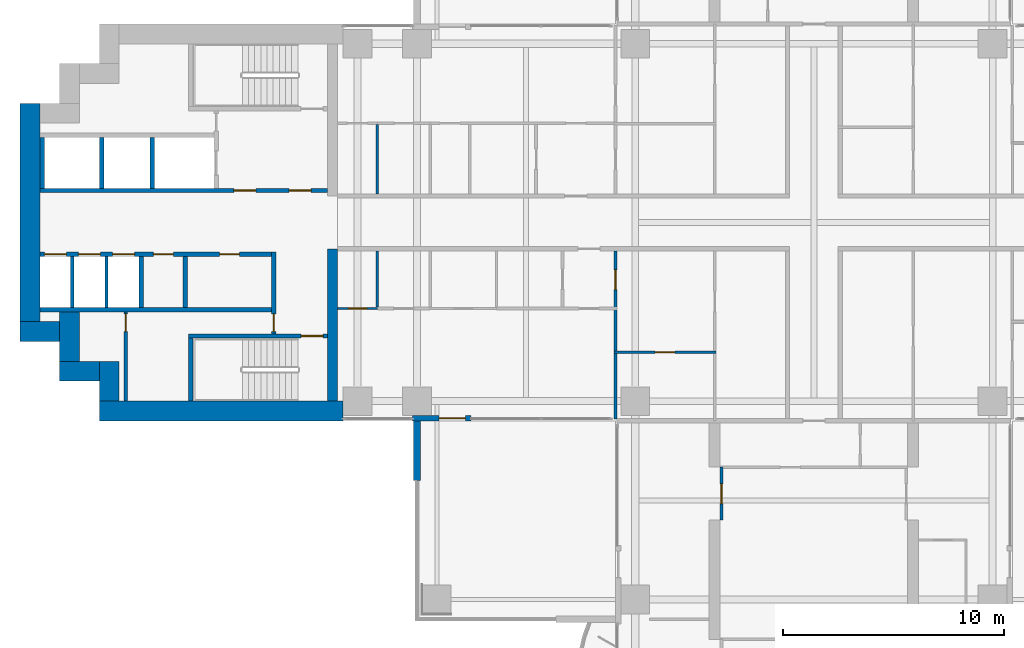
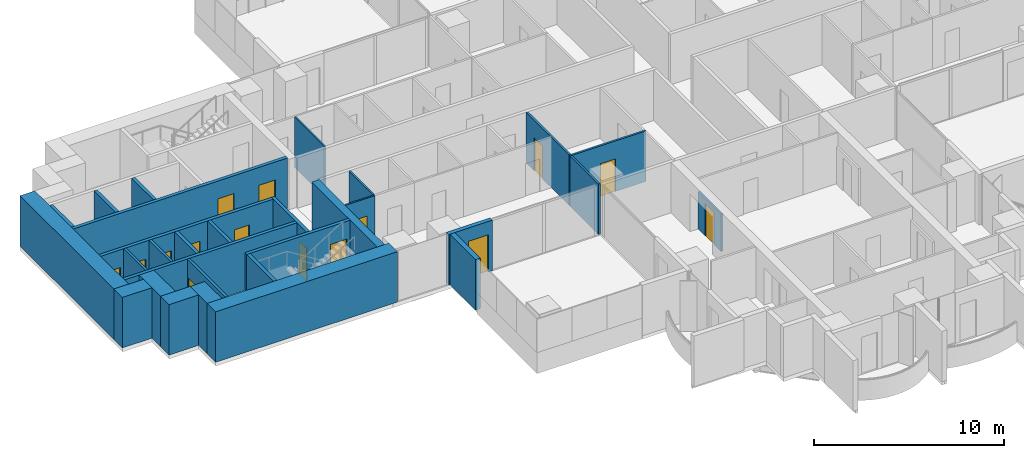
# One storey, part 10 of 20: 29 walls, 15 doors, 15 openings.
"""IFC4 building model written with IfcOpenShell, lengths in metres."""

from ifc_helpers import new_model, si_unit, direction, frame, frame_2d, origin, place, context, subcontext, project, spatial, rectangle, extrude, material, layer, layer_set, type_object, element, fill, save


model = new_model("IFC4")

# Units and contexts
model_context = context("Model", 3, precision=1e-05, world=origin(), true_north=direction((0.0, 1.0)))
body_context = subcontext(model_context, "Body", "Model", "MODEL_VIEW")
ifc_project = project(units=[si_unit("LENGTHUNIT", "METRE"), si_unit("AREAUNIT", "SQUARE_METRE"), si_unit("VOLUMEUNIT", "CUBIC_METRE"), si_unit("PLANEANGLEUNIT", "RADIAN"), si_unit("MASSUNIT", "GRAM", prefix="KILO")], contexts=[model_context])

# Site, building, storey
site_placement = place(None, origin())
site = spatial("IfcSite", under=ifc_project, at=site_placement, CompositionType="ELEMENT")
building_placement = place(site_placement, origin())
building = spatial("IfcBuilding", under=site, at=building_placement, Name="Perihelion Cross Residences", CompositionType="ELEMENT")
storey_placement = place(building_placement, frame((0.0, 0.0, 68.0)))
storey = spatial("IfcBuildingStorey", under=building, at=storey_placement, Name="L14", CompositionType="ELEMENT", Elevation=68.0)

# Wall, opening, door
ifc_material_1 = material(Name="Concrete C30/37, bronze-clad", Category="concrete")
ifc_layer_1 = layer(ifc_material_1, 0.25)
ifc_layer_set_1 = layer_set([ifc_layer_1], Name="Bronze-clad pier wall 250")
wall_type_1 = type_object("IfcWallType", Name="Bronze-clad pier wall 250", PredefinedType="SOLIDWALL", material=ifc_layer_set_1)
wall_1_placement = place(storey_placement, frame((-18.199951171875, -8.875, 0.0), z_axis=(0.0, 0.0, 1.0), x_axis=(1.0, 0.0, 0.0)))
wall_1 = element("IfcWall", 1, at=wall_1_placement, inside=storey, type_object=wall_type_1, Name="Wall FW1 L14 west side south bay 2 pier", PredefinedType="SOLIDWALL", context=body_context, shape_type="SweptSolid", body=[
    extrude(rectangle(XDim=2.64990234375, YDim=0.25, at=frame_2d((1.324951171875, 0.0))), origin(), (0.0, 0.0, 1.0), 3.25),
])
opening_1_placement = place(wall_1_placement, frame((1.199951171875, 0.0, 0.0)))
opening_1 = element("IfcOpeningElement", 2, at=opening_1_placement, cuts=wall_1, Name="Opening L14.E09", PredefinedType="OPENING", context=body_context, shape_type="SweptSolid", body=[
    extrude(rectangle(XDim=1.199951171875, YDim=2.39990234375, at=frame_2d((0.60009765625, 1.199951171875))), frame((0.0, 0.135009765625, 0.0), z_axis=(0.0, -1.0, 0.0), x_axis=(1.0, 0.0, 0.0)), (0.0, 0.0, 1.0), 0.27001953125),
])
ifc_material_2 = material(Name="Bronze anodised aluminium, glazed", Category="aluminium")
door_type_1 = type_object("IfcDoorType", Name="Balcony door 1200 x 2400", OperationType="NOTDEFINED", PredefinedType="DOOR", material=ifc_material_2)
door_1_placement = place(opening_1_placement, origin())
door_1 = element("IfcDoor", 3, at=door_1_placement, inside=storey, type_object=door_type_1, Name="Door L14.E09 west side south bay 2", OperationType="SINGLE_SWING_RIGHT", OverallHeight=2.39990234375, OverallWidth=1.199951171875, PredefinedType="DOOR", context=body_context, shape_type="SweptSolid", body=[
    extrude(rectangle(XDim=1.199951171875, YDim=2.39990234375, at=frame_2d((0.60009765625, 1.199951171875))), frame((0.0, 0.02490234375, 0.0), z_axis=(0.0, -1.0, 0.0), x_axis=(1.0, 0.0, 0.0)), (0.0, 0.0, 1.0), 0.050048828125),
])
fill(opening_1, door_1)

# Walls
ifc_material_3 = material(Name="Concrete C60/75", Category="concrete")
ifc_layer_2 = layer(ifc_material_3, 0.449951171875)
ifc_layer_set_2 = layer_set([ifc_layer_2], Name="Core wall, inner 450")
wall_type_2 = type_object("IfcWallType", Name="Core wall, inner 450", PredefinedType="SHEAR", material=ifc_layer_set_2)
wall_2_placement = place(storey_placement, frame((-21.824951171875, -8.10009765625, 0.0), z_axis=(0.0, 0.0, 1.0), x_axis=(0.0, 1.0, 0.0)))
element("IfcWall", 4, at=wall_2_placement, inside=storey, type_object=wall_type_2, Name="West core core wall, inner", PredefinedType="SHEAR", context=body_context, shape_type="SweptSolid", body=[
    extrude(rectangle(XDim=6.900146484375, YDim=0.449951171875, at=frame_2d((3.4501953125, 0.0))), origin(), (0.0, 0.0, 1.0), 3.25),
])
ifc_material_4 = material(Name="Concrete C60/75", Category="concrete")
ifc_layer_3 = layer(ifc_material_4, 0.89990234375)
ifc_layer_set_3 = layer_set([ifc_layer_3], Name="Core wall, outer 900")
wall_type_3 = type_object("IfcWallType", Name="Core wall, outer 900", PredefinedType="SHEAR", material=ifc_layer_set_3)
wall_3_placement = place(storey_placement, frame((-32.39990234375, -8.550048828125, 0.0), z_axis=(0.0, 0.0, 1.0), x_axis=(1.0, 0.0, 0.0)))
element("IfcWall", 5, at=wall_3_placement, inside=storey, type_object=wall_type_3, Name="West core core wall, outer", PredefinedType="SHEAR", context=body_context, shape_type="SweptSolid", body=[
    extrude(rectangle(XDim=11.0498046875, YDim=0.89990234375, at=frame_2d((5.52490234375, 0.0))), origin(), (0.0, 0.0, 1.0), 3.25),
])
for number, where, z_axis, x_axis, name in (
    (6, (-31.949951171875, -8.10009765625, 0.0), (0.0, 0.0, 1.0), (0.0, 1.0, 0.0), "West core core wall, outer"),
    (7, (-34.199951171875, -6.75, 0.0), (0.0, 0.0, 1.0), (1.0, 0.0, 0.0), "West core core wall, outer"),
):
    element("IfcWall", number, at=place(storey_placement, frame(where, z_axis=z_axis, x_axis=x_axis)), inside=storey, type_object=wall_type_3, Name=name, PredefinedType="SHEAR", context=body_context, shape_type="SweptSolid", body=[
        extrude(rectangle(XDim=1.800048828125, YDim=0.89990234375, at=frame_2d((0.89990234375, 0.0))), origin(), (0.0, 0.0, 1.0), 3.25),
    ])
wall_4_placement = place(storey_placement, frame((-33.75, -6.300048828125, 0.0), z_axis=(0.0, 0.0, 1.0), x_axis=(0.0, 1.0, 0.0)))
element("IfcWall", 8, at=wall_4_placement, inside=storey, type_object=wall_type_3, Name="West core core wall, outer", PredefinedType="SHEAR", context=body_context, shape_type="SweptSolid", body=[
    extrude(rectangle(XDim=2.25, YDim=0.89990234375, at=frame_2d((1.125, 0.0))), origin(), (0.0, 0.0, 1.0), 3.25),
])
wall_5_placement = place(storey_placement, frame((-36.0, -4.949951171875, 0.0), z_axis=(0.0, 0.0, 1.0), x_axis=(1.0, 0.0, 0.0)))
element("IfcWall", 9, at=wall_5_placement, inside=storey, type_object=wall_type_3, Name="West core core wall, outer", PredefinedType="SHEAR", context=body_context, shape_type="SweptSolid", body=[
    extrude(rectangle(XDim=1.800048828125, YDim=0.89990234375, at=frame_2d((0.89990234375, 0.0))), origin(), (0.0, 0.0, 1.0), 3.25),
])
wall_6_placement = place(storey_placement, frame((-35.550048828125, -4.5, 0.0), z_axis=(0.0, 0.0, 1.0), x_axis=(0.0, 1.0, 0.0)))
element("IfcWall", 10, at=wall_6_placement, inside=storey, type_object=wall_type_3, Name="West core core wall, outer", PredefinedType="SHEAR", context=body_context, shape_type="SweptSolid", body=[
    extrude(rectangle(XDim=9.89990234375, YDim=0.89990234375, at=frame_2d((4.949951171875, 0.0))), origin(), (0.0, 0.0, 1.0), 3.25),
])

# Wall, opening, door
ifc_material_5 = material(Name="Plasterboard partition")
ifc_layer_4 = layer(ifc_material_5, 0.1201171875)
ifc_layer_set_4 = layer_set([ifc_layer_4], Name="Infill panel 120")
wall_type_4 = type_object("IfcWallType", Name="Infill panel 120", PredefinedType="PARTITIONING", material=ifc_layer_set_4)
wall_7_placement = place(storey_placement, frame((-4.18994140625, -11.10009765625, 0.0), z_axis=(0.0, 0.0, 1.0), x_axis=(0.0, -1.0, 0.0)))
wall_7 = element("IfcWall", 11, at=wall_7_placement, inside=storey, type_object=wall_type_4, Name="Partition L14 WI07", PredefinedType="PARTITIONING", context=body_context, shape_type="SweptSolid", body=[
    extrude(rectangle(XDim=2.39990234375, YDim=0.1201171875, at=frame_2d((1.199951171875, 0.0))), origin(), (0.0, 0.0, 1.0), 2.39990234375),
])
opening_2_placement = place(wall_7_placement, frame((0.75, 0.0, 0.0)))
opening_2 = element("IfcOpeningElement", 12, at=opening_2_placement, cuts=wall_7, Name="Opening L14.A56", PredefinedType="OPENING", context=body_context, shape_type="SweptSolid", body=[
    extrude(rectangle(XDim=0.89990234375, YDim=2.10009765625, at=frame_2d((0.449951171875, 1.050048828125))), frame((0.0, 0.070068359375, 0.0), z_axis=(0.0, -1.0, 0.0), x_axis=(1.0, 0.0, 0.0)), (0.0, 0.0, 1.0), 0.14013671875),
])
ifc_material_6 = material(Name="Timber door leaf", Category="wood")
door_type_2 = type_object("IfcDoorType", Name="Interior room door 900 x 2100", OperationType="SINGLE_SWING_LEFT", PredefinedType="DOOR", material=ifc_material_6)
door_2_placement = place(opening_2_placement, origin())
door_2 = element("IfcDoor", 13, at=door_2_placement, inside=storey, type_object=door_type_2, Name="Door L14.A56", OperationType="SINGLE_SWING_RIGHT", OverallHeight=2.10009765625, OverallWidth=0.89990234375, PredefinedType="DOOR", context=body_context, shape_type="SweptSolid", body=[
    extrude(rectangle(XDim=0.89990234375, YDim=2.10009765625, at=frame_2d((0.449951171875, 1.050048828125))), frame((0.0, 0.02490234375, 0.0), z_axis=(0.0, -1.0, 0.0), x_axis=(1.0, 0.0, 0.0)), (0.0, 0.0, 1.0), 0.050048828125),
])
fill(opening_2, door_2)

ifc_material_7 = material(Name="Concrete C50/60", Category="concrete")
ifc_layer_5 = layer(ifc_material_7, 0.199951171875)
ifc_layer_set_5 = layer_set([ifc_layer_5], Name="Lobby wall 200")
wall_type_5 = type_object("IfcWallType", Name="Lobby wall 200", PredefinedType="SOLIDWALL", material=ifc_layer_set_5)
wall_8_placement = place(storey_placement, frame((-24.5, -5.050048828125, 0.0), z_axis=(0.0, 0.0, 1.0), x_axis=(0.0, 1.0, 0.0)))
wall_8 = element("IfcWall", 14, at=wall_8_placement, inside=storey, type_object=wall_type_5, Name="West core lobby wall", PredefinedType="SOLIDWALL", context=body_context, shape_type="SweptSolid", body=[
    extrude(rectangle(XDim=3.699951171875, YDim=0.199951171875, at=frame_2d((1.85009765625, 0.0))), origin(), (0.0, 0.0, 1.0), 3.25),
])
opening_3_placement = place(wall_8_placement, frame((0.10009765625, 0.0, 0.0)))
opening_3 = element("IfcOpeningElement", 15, at=opening_3_placement, cuts=wall_8, Name="Opening L14.C21", PredefinedType="OPENING", context=body_context, shape_type="SweptSolid", body=[
    extrude(rectangle(XDim=0.800048828125, YDim=2.10009765625, at=frame_2d((0.39990234375, 1.050048828125))), frame((0.0, 0.10986328125, 0.0), z_axis=(0.0, -1.0, 0.0), x_axis=(1.0, 0.0, 0.0)), (0.0, 0.0, 1.0), 0.219970703125),
])
ifc_material_8 = material(Name="Steel, powder coated", Category="steel")
door_type_3 = type_object("IfcDoorType", Name="Riser door 800", OperationType="SINGLE_SWING_LEFT", PredefinedType="DOOR", material=ifc_material_8)
door_3_placement = place(opening_3_placement, origin())
door_3 = element("IfcDoor", 16, at=door_3_placement, inside=storey, type_object=door_type_3, Name="West core riser door", OperationType="SINGLE_SWING_LEFT", OverallHeight=2.10009765625, OverallWidth=0.800048828125, PredefinedType="DOOR", context=body_context, shape_type="SweptSolid", body=[
    extrude(rectangle(XDim=0.800048828125, YDim=2.10009765625, at=frame_2d((0.39990234375, 1.050048828125))), frame((0.0, 0.02490234375, 0.0), z_axis=(0.0, -1.0, 0.0), x_axis=(1.0, 0.0, 0.0)), (0.0, 0.0, 1.0), 0.050048828125),
])
fill(opening_3, door_3)

ifc_material_9 = material(Name="Plasterboard partition")
ifc_layer_6 = layer(ifc_material_9, 0.1201171875)
ifc_layer_set_6 = layer_set([ifc_layer_6], Name="Partition wall 120")
wall_type_6 = type_object("IfcWallType", Name="Partition wall 120", PredefinedType="PARTITIONING", material=ifc_layer_set_6)
wall_9_placement = place(storey_placement, frame((-9.0, -1.300048828125, 0.0), z_axis=(0.0, 0.0, 1.0), x_axis=(0.0, -1.0, 0.0)))
wall_9 = element("IfcWall", 17, at=wall_9_placement, inside=storey, type_object=wall_type_6, Name="Partition L14 W044", PredefinedType="PARTITIONING", context=body_context, shape_type="SweptSolid", body=[
    extrude(rectangle(XDim=7.619873046875, YDim=0.1201171875, at=frame_2d((3.81005859375, 0.0))), origin(), (0.0, 0.0, 1.0), 3.25),
])
opening_4_placement = place(wall_9_placement, frame((0.85009765625, 0.0, 0.0)))
opening_4 = element("IfcOpeningElement", 18, at=opening_4_placement, cuts=wall_9, Name="Opening L14.A26", PredefinedType="OPENING", context=body_context, shape_type="SweptSolid", body=[
    extrude(rectangle(XDim=0.89990234375, YDim=2.10009765625, at=frame_2d((0.449951171875, 1.050048828125))), frame((0.0, 0.070068359375, 0.0), z_axis=(0.0, -1.0, 0.0), x_axis=(1.0, 0.0, 0.0)), (0.0, 0.0, 1.0), 0.14013671875),
])
door_4_placement = place(opening_4_placement, origin())
door_4 = element("IfcDoor", 19, at=door_4_placement, inside=storey, type_object=door_type_2, Name="Door L14.A26", OperationType="SINGLE_SWING_RIGHT", OverallHeight=2.10009765625, OverallWidth=0.89990234375, PredefinedType="DOOR", context=body_context, shape_type="SweptSolid", body=[
    extrude(rectangle(XDim=0.89990234375, YDim=2.10009765625, at=frame_2d((0.449951171875, 1.050048828125))), frame((0.0, 0.02490234375, 0.0), z_axis=(0.0, -1.0, 0.0), x_axis=(1.0, 0.0, 0.0)), (0.0, 0.0, 1.0), 0.050048828125),
])
fill(opening_4, door_4)

wall_10_placement = place(storey_placement, frame((-4.43994140625, -5.8798828125, 0.0), z_axis=(0.0, 0.0, 1.0), x_axis=(-1.0, 0.0, 0.0)))
wall_10 = element("IfcWall", 20, at=wall_10_placement, inside=storey, type_object=wall_type_6, Name="Partition L14 W051", PredefinedType="PARTITIONING", context=body_context, shape_type="SweptSolid", body=[
    extrude(rectangle(XDim=4.6201171875, YDim=0.1201171875, at=frame_2d((2.31005859375, 0.0))), origin(), (0.0, 0.0, 1.0), 3.25),
])
opening_5_placement = place(wall_10_placement, frame((1.860107421875, 0.0, 0.0)))
opening_5 = element("IfcOpeningElement", 21, at=opening_5_placement, cuts=wall_10, Name="Opening L14.A28", PredefinedType="OPENING", context=body_context, shape_type="SweptSolid", body=[
    extrude(rectangle(XDim=0.89990234375, YDim=2.10009765625, at=frame_2d((0.449951171875, 1.050048828125))), frame((0.0, 0.070068359375, 0.0), z_axis=(0.0, -1.0, 0.0), x_axis=(1.0, 0.0, 0.0)), (0.0, 0.0, 1.0), 0.14013671875),
])
door_5_placement = place(opening_5_placement, origin())
door_5 = element("IfcDoor", 22, at=door_5_placement, inside=storey, type_object=door_type_2, Name="Door L14.A28", OperationType="SINGLE_SWING_RIGHT", OverallHeight=2.10009765625, OverallWidth=0.89990234375, PredefinedType="DOOR", context=body_context, shape_type="SweptSolid", body=[
    extrude(rectangle(XDim=0.89990234375, YDim=2.10009765625, at=frame_2d((0.449951171875, 1.050048828125))), frame((0.0, 0.02490234375, 0.0), z_axis=(0.0, -1.0, 0.0), x_axis=(1.0, 0.0, 0.0)), (0.0, 0.0, 1.0), 0.050048828125),
])
fill(opening_5, door_5)

# Wall
ifc_material_10 = material(Name="Precast concrete C50/60", Category="concrete")
ifc_layer_7 = layer(ifc_material_10, 0.300048828125)
ifc_layer_set_7 = layer_set([ifc_layer_7], Name="Precast concrete C50/60 blade wall 300")
wall_type_7 = type_object("IfcWallType", Name="Precast concrete C50/60 blade wall 300", PredefinedType="SOLIDWALL", material=ifc_layer_set_7)
wall_11_placement = place(storey_placement, frame((-18.0, -8.75, 0.0), z_axis=(0.0, 0.0, 1.0), x_axis=(0.0, -1.0, 0.0)))
element("IfcWall", 23, at=wall_11_placement, inside=storey, type_object=wall_type_7, Name="Wall BL1 L14 no. 1", PredefinedType="SOLIDWALL", context=body_context, shape_type="SweptSolid", body=[
    extrude(rectangle(XDim=2.949951171875, YDim=0.300048828125, at=frame_2d((1.47509765625, 0.0))), origin(), (0.0, 0.0, 1.0), 3.25),
])

# Wall, opening, door
ifc_material_11 = material(Name="Fire-rated board on steel stud", Category="steel")
ifc_layer_8 = layer(ifc_material_11, 0.14990234375)
ifc_layer_set_8 = layer_set([ifc_layer_8], Name="Riser wall 150")
wall_type_8 = type_object("IfcWallType", Name="Riser wall 150", PredefinedType="PARTITIONING", material=ifc_layer_set_8)
wall_12_placement = place(storey_placement, frame((-31.199951171875, -8.10009765625, 0.0), z_axis=(0.0, 0.0, 1.0), x_axis=(0.0, 1.0, 0.0)))
wall_12 = element("IfcWall", 24, at=wall_12_placement, inside=storey, type_object=wall_type_8, Name="West core riser wall", PredefinedType="PARTITIONING", context=body_context, shape_type="SweptSolid", body=[
    extrude(rectangle(XDim=4.050048828125, YDim=0.14990234375, at=frame_2d((2.02490234375, 0.0))), origin(), (0.0, 0.0, 1.0), 3.25),
])
opening_6_placement = place(wall_12_placement, frame((3.14990234375, 0.0, 0.0)))
opening_6 = element("IfcOpeningElement", 25, at=opening_6_placement, cuts=wall_12, Name="Opening L14.C26", PredefinedType="OPENING", context=body_context, shape_type="SweptSolid", body=[
    extrude(rectangle(XDim=0.800048828125, YDim=2.10009765625, at=frame_2d((0.39990234375, 1.050048828125))), frame((0.0, 0.0849609375, 0.0), z_axis=(0.0, -1.0, 0.0), x_axis=(1.0, 0.0, 0.0)), (0.0, 0.0, 1.0), 0.169921875),
])
door_6_placement = place(opening_6_placement, origin())
door_6 = element("IfcDoor", 26, at=door_6_placement, inside=storey, type_object=door_type_3, Name="West core riser door", OperationType="SINGLE_SWING_LEFT", OverallHeight=2.10009765625, OverallWidth=0.800048828125, PredefinedType="DOOR", context=body_context, shape_type="SweptSolid", body=[
    extrude(rectangle(XDim=0.800048828125, YDim=2.10009765625, at=frame_2d((0.39990234375, 1.050048828125))), frame((0.0, 0.02490234375, 0.0), z_axis=(0.0, -1.0, 0.0), x_axis=(1.0, 0.0, 0.0)), (0.0, 0.0, 1.0), 0.050048828125),
])
fill(opening_6, door_6)

# Walls
ifc_material_12 = material(Name="Fire-rated board on steel stud", Category="steel")
ifc_layer_9 = layer(ifc_material_12, 0.199951171875)
ifc_layer_set_9 = layer_set([ifc_layer_9], Name="Riser wall 200")
wall_type_9 = type_object("IfcWallType", Name="Riser wall 200", PredefinedType="PARTITIONING", material=ifc_layer_set_9)
wall_13_placement = place(storey_placement, frame((-28.5, -3.85009765625, 0.0), z_axis=(0.0, 0.0, 1.0), x_axis=(0.0, 1.0, 0.0)))
element("IfcWall", 27, at=wall_13_placement, inside=storey, type_object=wall_type_9, Name="West core riser wall", PredefinedType="PARTITIONING", context=body_context, shape_type="SweptSolid", body=[
    extrude(rectangle(XDim=2.300048828125, YDim=0.199951171875, at=frame_2d((1.14990234375, 0.0))), origin(), (0.0, 0.0, 1.0), 3.25),
])
ifc_material_13 = material(Name="Concrete C50/60", Category="concrete")
ifc_layer_10 = layer(ifc_material_13, 0.14990234375)
ifc_layer_set_10 = layer_set([ifc_layer_10], Name="Shaft wall 150")
wall_type_10 = type_object("IfcWallType", Name="Shaft wall 150", PredefinedType="SOLIDWALL", material=ifc_layer_set_10)
for number, where, z_axis, x_axis, name in (
    (28, (-32.074951171875, -3.85009765625, 0.0), (0.0, 0.0, 1.0), (0.0, 1.0, 0.0), "West core shaft wall"),
    (29, (-33.625, -3.85009765625, 0.0), (0.0, 0.0, 1.0), (0.0, 1.0, 0.0), "West core shaft wall"),
):
    element("IfcWall", number, at=place(storey_placement, frame(where, z_axis=z_axis, x_axis=x_axis)), inside=storey, type_object=wall_type_10, Name=name, PredefinedType="SOLIDWALL", context=body_context, shape_type="SweptSolid", body=[
        extrude(rectangle(XDim=2.300048828125, YDim=0.14990234375, at=frame_2d((1.14990234375, 0.0))), origin(), (0.0, 0.0, 1.0), 3.25),
    ])

# Wall, openings, doors
ifc_material_14 = material(Name="Concrete C50/60", Category="concrete")
ifc_layer_11 = layer(ifc_material_14, 0.199951171875)
ifc_layer_set_11 = layer_set([ifc_layer_11], Name="Shaft wall 200")
wall_type_11 = type_object("IfcWallType", Name="Shaft wall 200", PredefinedType="SOLIDWALL", material=ifc_layer_set_11)
wall_14_placement = place(storey_placement, frame((-35.10009765625, 1.449951171875, 0.0), z_axis=(0.0, 0.0, 1.0), x_axis=(1.0, 0.0, 0.0)))
wall_14 = element("IfcWall", 30, at=wall_14_placement, inside=storey, type_object=wall_type_11, Name="West core shaft wall", PredefinedType="SOLIDWALL", context=body_context, shape_type="SweptSolid", body=[
    extrude(rectangle(XDim=13.050048828125, YDim=0.199951171875, at=frame_2d((6.52490234375, 0.0))), origin(), (0.0, 0.0, 1.0), 3.25),
])
opening_7_placement = place(wall_14_placement, frame((11.300048828125, 0.0, 0.0)))
opening_7 = element("IfcOpeningElement", 31, at=opening_7_placement, cuts=wall_14, Name="Opening L14.C20", PredefinedType="OPENING", context=body_context, shape_type="SweptSolid", body=[
    extrude(rectangle(XDim=1.0, YDim=2.10009765625, at=frame_2d((0.5, 1.050048828125))), frame((0.0, 0.10986328125, 0.0), z_axis=(0.0, -1.0, 0.0), x_axis=(1.0, 0.0, 0.0)), (0.0, 0.0, 1.0), 0.219970703125),
])
opening_8_placement = place(wall_14_placement, frame((8.800048828125, 0.0, 0.0)))
opening_8 = element("IfcOpeningElement", 32, at=opening_8_placement, cuts=wall_14, Name="Opening L14.C22", PredefinedType="OPENING", context=body_context, shape_type="SweptSolid", body=[
    extrude(rectangle(XDim=1.0, YDim=2.10009765625, at=frame_2d((0.5, 1.050048828125))), frame((0.0, 0.10986328125, 0.0), z_axis=(0.0, -1.0, 0.0), x_axis=(1.0, 0.0, 0.0)), (0.0, 0.0, 1.0), 0.219970703125),
])
ifc_material_15 = material(Name="Steel, powder coated", Category="steel")
door_type_4 = type_object("IfcDoorType", Name="Lobby door 1000", OperationType="SINGLE_SWING_LEFT", PredefinedType="DOOR", material=ifc_material_15)
door_7_placement = place(opening_7_placement, origin())
door_7 = element("IfcDoor", 33, at=door_7_placement, inside=storey, type_object=door_type_4, Name="West core firefighting lobby door", OperationType="SINGLE_SWING_LEFT", OverallHeight=2.10009765625, OverallWidth=1.0, PredefinedType="DOOR", context=body_context, shape_type="SweptSolid", body=[
    extrude(rectangle(XDim=1.0, YDim=2.10009765625, at=frame_2d((0.5, 1.050048828125))), frame((0.0, 0.02490234375, 0.0), z_axis=(0.0, -1.0, 0.0), x_axis=(1.0, 0.0, 0.0)), (0.0, 0.0, 1.0), 0.050048828125),
])
fill(opening_7, door_7)
door_8_placement = place(opening_8_placement, origin())
door_8 = element("IfcDoor", 34, at=door_8_placement, inside=storey, type_object=door_type_4, Name="West core firefighting lobby door", OperationType="SINGLE_SWING_LEFT", OverallHeight=2.10009765625, OverallWidth=1.0, PredefinedType="DOOR", context=body_context, shape_type="SweptSolid", body=[
    extrude(rectangle(XDim=1.0, YDim=2.10009765625, at=frame_2d((0.5, 1.050048828125))), frame((0.0, 0.02490234375, 0.0), z_axis=(0.0, -1.0, 0.0), x_axis=(1.0, 0.0, 0.0)), (0.0, 0.0, 1.0), 0.050048828125),
])
fill(opening_8, door_8)

wall_15_placement = place(storey_placement, frame((-35.10009765625, -1.449951171875, 0.0), z_axis=(0.0, 0.0, 1.0), x_axis=(1.0, 0.0, 0.0)))
wall_15 = element("IfcWall", 35, at=wall_15_placement, inside=storey, type_object=wall_type_11, Name="West core shaft wall", PredefinedType="SOLIDWALL", context=body_context, shape_type="SweptSolid", body=[
    extrude(rectangle(XDim=10.5, YDim=0.199951171875, at=frame_2d((5.25, 0.0))), origin(), (0.0, 0.0, 1.0), 3.25),
])
opening_9_placement = place(wall_15_placement, frame((3.300048828125, 0.0, 0.0)))
opening_9 = element("IfcOpeningElement", 36, at=opening_9_placement, cuts=wall_15, Name="Opening L14.C15", PredefinedType="OPENING", context=body_context, shape_type="SweptSolid", body=[
    extrude(rectangle(XDim=1.0, YDim=2.10009765625, at=frame_2d((0.5, 1.050048828125))), frame((0.0, 0.10986328125, 0.0), z_axis=(0.0, -1.0, 0.0), x_axis=(1.0, 0.0, 0.0)), (0.0, 0.0, 1.0), 0.219970703125),
])
opening_10_placement = place(wall_15_placement, frame((1.75, 0.0, 0.0)))
opening_10 = element("IfcOpeningElement", 37, at=opening_10_placement, cuts=wall_15, Name="Opening L14.C16", PredefinedType="OPENING", context=body_context, shape_type="SweptSolid", body=[
    extrude(rectangle(XDim=1.0, YDim=2.10009765625, at=frame_2d((0.5, 1.050048828125))), frame((0.0, 0.10986328125, 0.0), z_axis=(0.0, -1.0, 0.0), x_axis=(1.0, 0.0, 0.0)), (0.0, 0.0, 1.0), 0.219970703125),
])
opening_11_placement = place(wall_15_placement, frame((0.199951171875, 0.0, 0.0)))
opening_11 = element("IfcOpeningElement", 38, at=opening_11_placement, cuts=wall_15, Name="Opening L14.C17", PredefinedType="OPENING", context=body_context, shape_type="SweptSolid", body=[
    extrude(rectangle(XDim=1.0, YDim=2.10009765625, at=frame_2d((0.5, 1.050048828125))), frame((0.0, 0.10986328125, 0.0), z_axis=(0.0, -1.0, 0.0), x_axis=(1.0, 0.0, 0.0)), (0.0, 0.0, 1.0), 0.219970703125),
])
opening_12_placement = place(wall_15_placement, frame((8.14990234375, 0.0, 0.0)))
opening_12 = element("IfcOpeningElement", 39, at=opening_12_placement, cuts=wall_15, Name="Opening L14.C23", PredefinedType="OPENING", context=body_context, shape_type="SweptSolid", body=[
    extrude(rectangle(XDim=0.89990234375, YDim=2.10009765625, at=frame_2d((0.449951171875, 1.050048828125))), frame((0.0, 0.10986328125, 0.0), z_axis=(0.0, -1.0, 0.0), x_axis=(1.0, 0.0, 0.0)), (0.0, 0.0, 1.0), 0.219970703125),
])
opening_13_placement = place(wall_15_placement, frame((5.14990234375, 0.0, 0.0)))
opening_13 = element("IfcOpeningElement", 40, at=opening_13_placement, cuts=wall_15, Name="Opening L14.C25", PredefinedType="OPENING", context=body_context, shape_type="SweptSolid", body=[
    extrude(rectangle(XDim=0.89990234375, YDim=2.10009765625, at=frame_2d((0.449951171875, 1.050048828125))), frame((0.0, 0.10986328125, 0.0), z_axis=(0.0, -1.0, 0.0), x_axis=(1.0, 0.0, 0.0)), (0.0, 0.0, 1.0), 0.219970703125),
])
ifc_material_16 = material(Name="Stainless steel", Category="steel")
door_type_5 = type_object("IfcDoorType", Name="Landing door 1000", OperationType="DOUBLE_DOOR_SLIDING", PredefinedType="DOOR", material=ifc_material_16)
door_9_placement = place(opening_9_placement, origin())
door_9 = element("IfcDoor", 41, at=door_9_placement, inside=storey, type_object=door_type_5, Name="Landing door, West core low-rise lift 1", OperationType="DOUBLE_DOOR_SLIDING", OverallHeight=2.10009765625, OverallWidth=1.0, PredefinedType="DOOR", context=body_context, shape_type="SweptSolid", body=[
    extrude(rectangle(XDim=1.0, YDim=2.10009765625, at=frame_2d((0.5, 1.050048828125))), frame((0.0, 0.02490234375, 0.0), z_axis=(0.0, -1.0, 0.0), x_axis=(1.0, 0.0, 0.0)), (0.0, 0.0, 1.0), 0.050048828125),
])
fill(opening_9, door_9)
door_10_placement = place(opening_10_placement, origin())
door_10 = element("IfcDoor", 42, at=door_10_placement, inside=storey, type_object=door_type_5, Name="Landing door, West core low-rise lift 2", OperationType="DOUBLE_DOOR_SLIDING", OverallHeight=2.10009765625, OverallWidth=1.0, PredefinedType="DOOR", context=body_context, shape_type="SweptSolid", body=[
    extrude(rectangle(XDim=1.0, YDim=2.10009765625, at=frame_2d((0.5, 1.050048828125))), frame((0.0, 0.02490234375, 0.0), z_axis=(0.0, -1.0, 0.0), x_axis=(1.0, 0.0, 0.0)), (0.0, 0.0, 1.0), 0.050048828125),
])
fill(opening_10, door_10)
door_11_placement = place(opening_11_placement, origin())
door_11 = element("IfcDoor", 43, at=door_11_placement, inside=storey, type_object=door_type_5, Name="Landing door, West core low-rise lift 3", OperationType="DOUBLE_DOOR_SLIDING", OverallHeight=2.10009765625, OverallWidth=1.0, PredefinedType="DOOR", context=body_context, shape_type="SweptSolid", body=[
    extrude(rectangle(XDim=1.0, YDim=2.10009765625, at=frame_2d((0.5, 1.050048828125))), frame((0.0, 0.02490234375, 0.0), z_axis=(0.0, -1.0, 0.0), x_axis=(1.0, 0.0, 0.0)), (0.0, 0.0, 1.0), 0.050048828125),
])
fill(opening_11, door_11)
ifc_material_17 = material(Name="Steel, powder coated", Category="steel")
door_type_6 = type_object("IfcDoorType", Name="Service room door 900", OperationType="SINGLE_SWING_LEFT", PredefinedType="DOOR", material=ifc_material_17)
door_12_placement = place(opening_12_placement, origin())
door_12 = element("IfcDoor", 44, at=door_12_placement, inside=storey, type_object=door_type_6, Name="West core service room door", OperationType="SINGLE_SWING_LEFT", OverallHeight=2.10009765625, OverallWidth=0.89990234375, PredefinedType="DOOR", context=body_context, shape_type="SweptSolid", body=[
    extrude(rectangle(XDim=0.89990234375, YDim=2.10009765625, at=frame_2d((0.449951171875, 1.050048828125))), frame((0.0, 0.02490234375, 0.0), z_axis=(0.0, -1.0, 0.0), x_axis=(1.0, 0.0, 0.0)), (0.0, 0.0, 1.0), 0.050048828125),
])
fill(opening_12, door_12)
door_13_placement = place(opening_13_placement, origin())
door_13 = element("IfcDoor", 45, at=door_13_placement, inside=storey, type_object=door_type_6, Name="West core service room door", OperationType="SINGLE_SWING_LEFT", OverallHeight=2.10009765625, OverallWidth=0.89990234375, PredefinedType="DOOR", context=body_context, shape_type="SweptSolid", body=[
    extrude(rectangle(XDim=0.89990234375, YDim=2.10009765625, at=frame_2d((0.449951171875, 1.050048828125))), frame((0.0, 0.02490234375, 0.0), z_axis=(0.0, -1.0, 0.0), x_axis=(1.0, 0.0, 0.0)), (0.0, 0.0, 1.0), 0.050048828125),
])
fill(opening_13, door_13)

# Walls
wall_16_placement = place(storey_placement, frame((-35.10009765625, -3.949951171875, 0.0), z_axis=(0.0, 0.0, 1.0), x_axis=(1.0, 0.0, 0.0)))
element("IfcWall", 46, at=wall_16_placement, inside=storey, type_object=wall_type_11, Name="West core shaft wall", PredefinedType="SOLIDWALL", context=body_context, shape_type="SweptSolid", body=[
    extrude(rectangle(XDim=10.5, YDim=0.199951171875, at=frame_2d((5.25, 0.0))), origin(), (0.0, 0.0, 1.0), 3.25),
])
for number, where, z_axis, x_axis, name in (
    (47, (-30.0, 1.550048828125, 0.0), (0.0, 0.0, 1.0), (0.0, 1.0, 0.0), "West core shaft wall"),
    (48, (-32.300048828125, 1.550048828125, 0.0), (0.0, 0.0, 1.0), (0.0, 1.0, 0.0), "West core shaft wall"),
    (49, (-35.0, 1.550048828125, 0.0), (0.0, 0.0, 1.0), (0.0, 1.0, 0.0), "West core shaft wall"),
    (50, (-30.5, -3.85009765625, 0.0), (0.0, 0.0, 1.0), (0.0, 1.0, 0.0), "West core shaft wall"),
):
    element("IfcWall", number, at=place(storey_placement, frame(where, z_axis=z_axis, x_axis=x_axis)), inside=storey, type_object=wall_type_11, Name=name, PredefinedType="SOLIDWALL", context=body_context, shape_type="SweptSolid", body=[
        extrude(rectangle(XDim=2.300048828125, YDim=0.199951171875, at=frame_2d((1.14990234375, 0.0))), origin(), (0.0, 0.0, 1.0), 3.25),
    ])

# Wall, opening, door
ifc_material_18 = material(Name="Concrete C50/60", Category="concrete")
ifc_layer_12 = layer(ifc_material_18, 0.199951171875)
ifc_layer_set_12 = layer_set([ifc_layer_12], Name="Stair wall 200")
wall_type_12 = type_object("IfcWallType", Name="Stair wall 200", PredefinedType="SOLIDWALL", material=ifc_layer_set_12)
wall_17_placement = place(storey_placement, frame((-28.35009765625, -5.14990234375, 0.0), z_axis=(0.0, 0.0, 1.0), x_axis=(1.0, 0.0, 0.0)))
wall_17 = element("IfcWall", 51, at=wall_17_placement, inside=storey, type_object=wall_type_12, Name="West core stair wall", PredefinedType="SOLIDWALL", context=body_context, shape_type="SweptSolid", body=[
    extrude(rectangle(XDim=6.300048828125, YDim=0.199951171875, at=frame_2d((3.14990234375, 0.0))), origin(), (0.0, 0.0, 1.0), 3.25),
])
opening_14_placement = place(wall_17_placement, frame((5.10009765625, 0.0, 0.0)))
opening_14 = element("IfcOpeningElement", 52, at=opening_14_placement, cuts=wall_17, Name="Opening L14.C18", PredefinedType="OPENING", context=body_context, shape_type="SweptSolid", body=[
    extrude(rectangle(XDim=1.0, YDim=2.10009765625, at=frame_2d((0.5, 1.050048828125))), frame((0.0, 0.10986328125, 0.0), z_axis=(0.0, -1.0, 0.0), x_axis=(1.0, 0.0, 0.0)), (0.0, 0.0, 1.0), 0.219970703125),
])
ifc_material_19 = material(Name="Steel, powder coated", Category="steel")
door_type_7 = type_object("IfcDoorType", Name="Stair door 1000", OperationType="SINGLE_SWING_LEFT", PredefinedType="DOOR", material=ifc_material_19)
door_14_placement = place(opening_14_placement, origin())
door_14 = element("IfcDoor", 53, at=door_14_placement, inside=storey, type_object=door_type_7, Name="West core stair door", OperationType="SINGLE_SWING_LEFT", OverallHeight=2.10009765625, OverallWidth=1.0, PredefinedType="DOOR", context=body_context, shape_type="SweptSolid", body=[
    extrude(rectangle(XDim=1.0, YDim=2.10009765625, at=frame_2d((0.5, 1.050048828125))), frame((0.0, 0.02490234375, 0.0), z_axis=(0.0, -1.0, 0.0), x_axis=(1.0, 0.0, 0.0)), (0.0, 0.0, 1.0), 0.050048828125),
])
fill(opening_14, door_14)

# Walls
wall_18_placement = place(storey_placement, frame((-28.25, -8.10009765625, 0.0), z_axis=(0.0, 0.0, 1.0), x_axis=(0.0, 1.0, 0.0)))
element("IfcWall", 54, at=wall_18_placement, inside=storey, type_object=wall_type_12, Name="West core stair wall", PredefinedType="SOLIDWALL", context=body_context, shape_type="SweptSolid", body=[
    extrude(rectangle(XDim=2.85009765625, YDim=0.199951171875, at=frame_2d((1.425048828125, 0.0))), origin(), (0.0, 0.0, 1.0), 3.25),
])
ifc_material_20 = material(Name="Plasterboard partition")
ifc_layer_13 = layer(ifc_material_20, 0.10009765625)
ifc_layer_set_13 = layer_set([ifc_layer_13], Name="Wet room wall 100")
wall_type_13 = type_object("IfcWallType", Name="Wet room wall 100", PredefinedType="PARTITIONING", material=ifc_layer_set_13)
wall_19_placement = place(storey_placement, frame((-19.800048828125, 1.300048828125, 0.0), z_axis=(0.0, 0.0, 1.0), x_axis=(0.0, 1.0, 0.0)))
element("IfcWall", 55, at=wall_19_placement, inside=storey, type_object=wall_type_13, Name="Partition L14 W036", PredefinedType="PARTITIONING", context=body_context, shape_type="SweptSolid", body=[
    extrude(rectangle(XDim=3.139892578125, YDim=0.10009765625, at=frame_2d((1.56982421875, 0.0))), origin(), (0.0, 0.0, 1.0), 3.25),
])
wall_20_placement = place(storey_placement, frame((-19.800048828125, -3.840087890625, 0.0), z_axis=(0.0, 0.0, 1.0), x_axis=(0.0, 1.0, 0.0)))
element("IfcWall", 56, at=wall_20_placement, inside=storey, type_object=wall_type_13, Name="Partition L14 W048", PredefinedType="PARTITIONING", context=body_context, shape_type="SweptSolid", body=[
    extrude(rectangle(XDim=2.5400390625, YDim=0.10009765625, at=frame_2d((1.27001953125, 0.0))), origin(), (0.0, 0.0, 1.0), 3.25),
])

# Wall, opening, door
wall_21_placement = place(storey_placement, frame((-19.800048828125, -3.89990234375, 0.0), z_axis=(0.0, 0.0, 1.0), x_axis=(-1.0, 0.0, 0.0)))
wall_21 = element("IfcWall", 57, at=wall_21_placement, inside=storey, type_object=wall_type_13, Name="Partition L14 W050", PredefinedType="PARTITIONING", context=body_context, shape_type="SweptSolid", body=[
    extrude(rectangle(XDim=1.800048828125, YDim=0.10009765625, at=frame_2d((0.89990234375, 0.0))), origin(), (0.0, 0.0, 1.0), 3.25),
])
opening_15_placement = place(wall_21_placement, frame((0.47509765625, 0.0, 0.0)))
opening_15 = element("IfcOpeningElement", 58, at=opening_15_placement, cuts=wall_21, Name="Opening L14.A29", PredefinedType="OPENING", context=body_context, shape_type="SweptSolid", body=[
    extrude(rectangle(XDim=0.85009765625, YDim=2.10009765625, at=frame_2d((0.425048828125, 1.050048828125))), frame((0.0, 0.06005859375, 0.0), z_axis=(0.0, -1.0, 0.0), x_axis=(1.0, 0.0, 0.0)), (0.0, 0.0, 1.0), 0.1201171875),
])
ifc_material_21 = material(Name="Timber door leaf", Category="wood")
door_type_8 = type_object("IfcDoorType", Name="Interior bathroom door 850 x 2100", OperationType="SINGLE_SWING_LEFT", PredefinedType="DOOR", material=ifc_material_21)
door_15_placement = place(opening_15_placement, origin())
door_15 = element("IfcDoor", 59, at=door_15_placement, inside=storey, type_object=door_type_8, Name="Door L14.A29", OperationType="SINGLE_SWING_RIGHT", OverallHeight=2.10009765625, OverallWidth=0.85009765625, PredefinedType="DOOR", context=body_context, shape_type="SweptSolid", body=[
    extrude(rectangle(XDim=0.85009765625, YDim=2.10009765625, at=frame_2d((0.425048828125, 1.050048828125))), frame((0.0, 0.02490234375, 0.0), z_axis=(0.0, -1.0, 0.0), x_axis=(1.0, 0.0, 0.0)), (0.0, 0.0, 1.0), 0.050048828125),
])
fill(opening_15, door_15)

save(model, "model.ifc")
